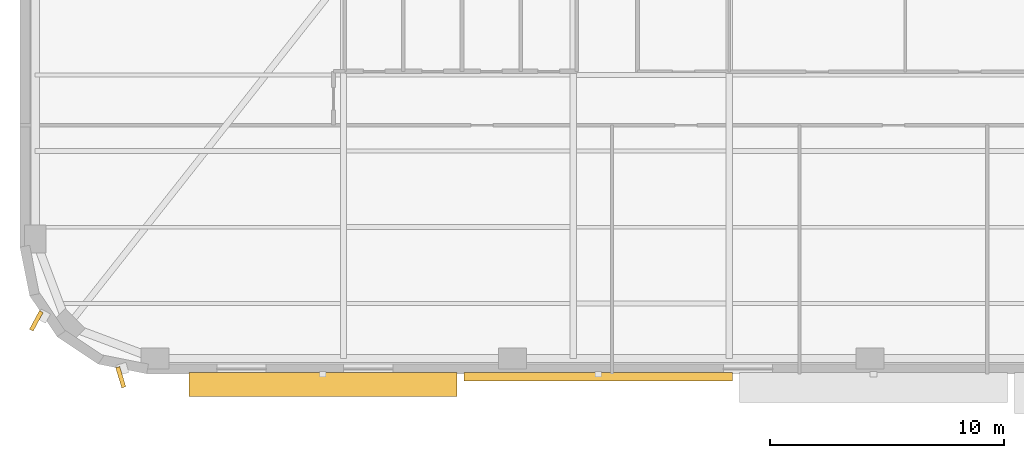
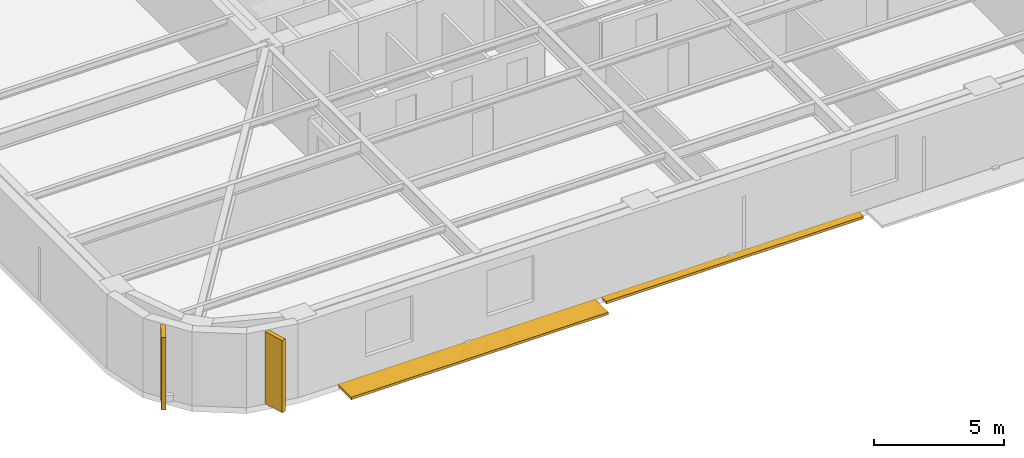
# One storey, part 9 of 15: 4 shading devices.
"""IFC4 building model written with IfcOpenShell, lengths in metres."""

from ifc_helpers import new_model, si_unit, direction, frame, origin, origin_2d, place, context, subcontext, project, spatial, rectangle, extrude, material, type_object, element, save


model = new_model("IFC4")

# Units and contexts
model_context = context("Model", 3, precision=1e-05, world=origin(), true_north=direction((0.0, 1.0)))
body_context = subcontext(model_context, "Body", "Model", "MODEL_VIEW")
ifc_project = project(units=[si_unit("LENGTHUNIT", "METRE"), si_unit("AREAUNIT", "SQUARE_METRE"), si_unit("VOLUMEUNIT", "CUBIC_METRE"), si_unit("PLANEANGLEUNIT", "RADIAN"), si_unit("MASSUNIT", "GRAM", prefix="KILO")], contexts=[model_context])

# Site, building, storey
site_placement = place(None, origin())
site = spatial("IfcSite", under=ifc_project, at=site_placement, CompositionType="ELEMENT")
building_placement = place(site_placement, origin())
building = spatial("IfcBuilding", under=site, at=building_placement, Name="Kolvaren Arena Tower", CompositionType="ELEMENT")
storey_placement = place(building_placement, frame((0.0, 0.0, 49.5)))
storey = spatial("IfcBuildingStorey", under=building, at=storey_placement, Name="L09", CompositionType="ELEMENT", Elevation=49.5)

# Shading devices
ifc_material_1 = material(Name="Precast architectural concrete C50/60 rib fin", Category="concrete")
shading_device_type_1 = type_object("IfcShadingDeviceType", Name="SHAD-FIN-28", PredefinedType="USERDEFINED", material=ifc_material_1)
for number, where, z_axis, x_axis, name in (
    (1, (1.447021484375, 4.757568359375, 0.02001953125), (0.0, 0.0, 1.0), (-0.473348878368, -0.880875041846, 0.0), "Precast 28-Deg Corner Rib Fin (L09)"),
    (2, (5.04638671875, 2.3525390625, 0.02001953125), (0.0, 0.0, 1.0), (0.288174541455, -0.957577899524, 0.0), "Precast 28-Deg Corner Rib Fin (L09)"),
):
    element("IfcShadingDevice", number, at=place(storey_placement, frame(where, z_axis=z_axis, x_axis=x_axis)), inside=storey, type_object=shading_device_type_1, Name=name, ObjectType="FIN", PredefinedType="USERDEFINED", context=body_context, shape_type="SweptSolid", body=[
        extrude(rectangle(XDim=0.89990234375, YDim=0.179931640625, at=origin_2d()), origin(), (0.0, 0.0, 1.0), 3.39990234375),
    ])
ifc_material_2 = material(Name="Architectural precast GFRC and anodised aluminium sunshade", Category="concrete")
shading_device_type_2 = type_object("IfcShadingDeviceType", Name="SHAD-SINE-A", PredefinedType="USERDEFINED", material=ifc_material_2)
shading_device_1_placement = place(storey_placement, frame((25.409912109375, 2.36962890625, -0.14013671875), z_axis=(0.0, 0.0, 1.0), x_axis=(-1.0, 0.0, 0.0)))
element("IfcShadingDevice", 3, at=shading_device_1_placement, inside=storey, type_object=shading_device_type_2, Name="Sinusoidal Slab-Edge Sunshade Louvre (L09)", ObjectType="LOUVRE", PredefinedType="USERDEFINED", context=body_context, shape_type="SweptSolid", body=[
    extrude(rectangle(XDim=11.43994140625, YDim=0.36083984375, at=origin_2d()), origin(), (0.0, 0.0, 1.0), 0.1201171875),
])
shading_device_2_placement = place(storey_placement, frame((13.669921875, 2.0380859375, -0.14013671875), z_axis=(0.0, 0.0, 1.0), x_axis=(-1.0, 0.0, 0.0)))
element("IfcShadingDevice", 4, at=shading_device_2_placement, inside=storey, type_object=shading_device_type_2, Name="Sinusoidal Slab-Edge Sunshade Louvre (L09)", ObjectType="LOUVRE", PredefinedType="USERDEFINED", context=body_context, shape_type="SweptSolid", body=[
    extrude(rectangle(XDim=11.43994140625, YDim=1.023681640625, at=origin_2d()), origin(), (0.0, 0.0, 1.0), 0.1201171875),
])

save(model, "model.ifc")
